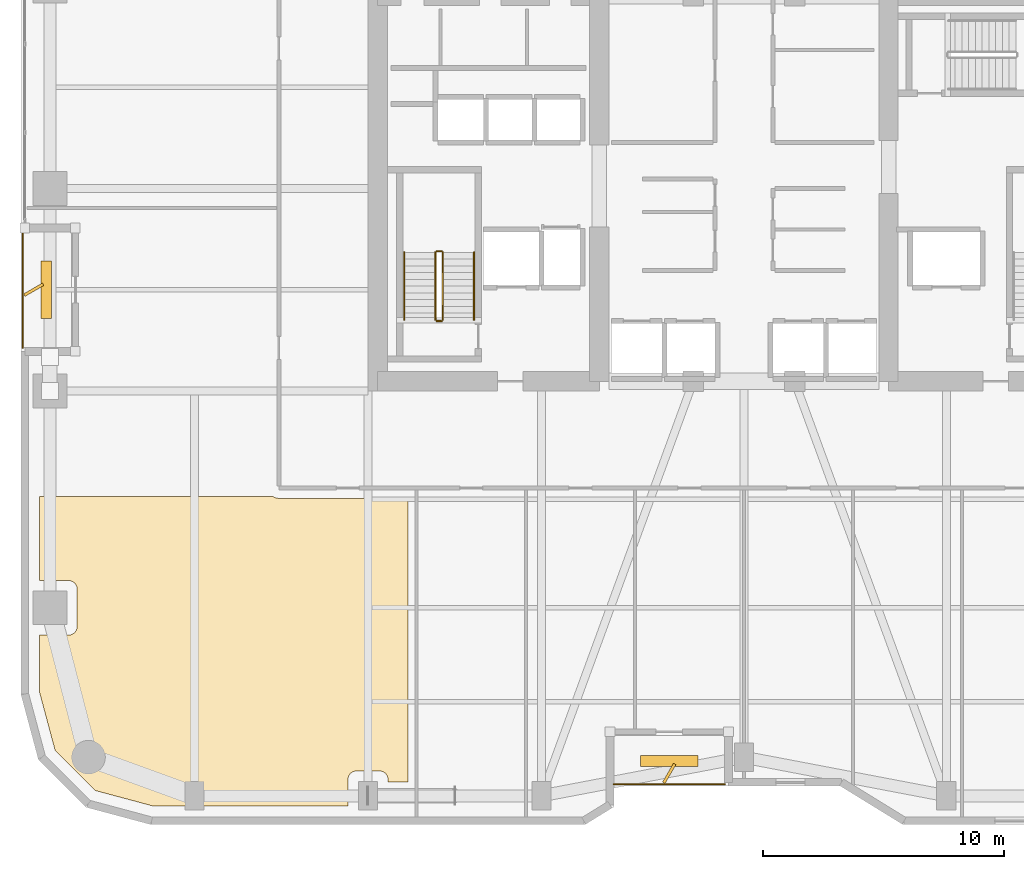
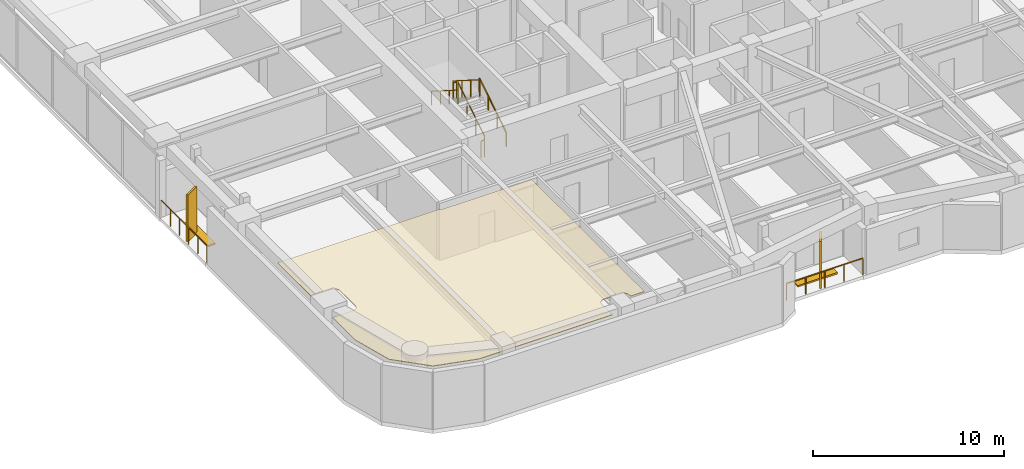
# One storey, part 22 of 24: 8 railings, 4 shading devices, 1 covering.
"""IFC4 building model written with IfcOpenShell, lengths in metres."""

from ifc_helpers import new_model, si_unit, direction, frame, origin, origin_2d, place, context, subcontext, project, spatial, polyline, rectangle, outline, extrude, material, layer, layer_set, type_object, element, save


model = new_model("IFC4")

# Units and contexts
model_context = context("Model", 3, precision=1e-05, world=origin(), true_north=direction((0.0, 1.0)))
body_context = subcontext(model_context, "Body", "Model", "MODEL_VIEW")
ifc_project = project(units=[si_unit("LENGTHUNIT", "METRE"), si_unit("AREAUNIT", "SQUARE_METRE"), si_unit("VOLUMEUNIT", "CUBIC_METRE"), si_unit("PLANEANGLEUNIT", "RADIAN"), si_unit("MASSUNIT", "GRAM", prefix="KILO")], contexts=[model_context])

# Site, building, storey
site_placement = place(None, origin())
site = spatial("IfcSite", under=ifc_project, at=site_placement, CompositionType="ELEMENT")
building_placement = place(site_placement, origin())
building = spatial("IfcBuilding", under=site, at=building_placement, Name="Kiyonajd Concourse Tower", CompositionType="ELEMENT")
storey_placement = place(building_placement, frame((0.0, 0.0, 117.0)))
storey = spatial("IfcBuildingStorey", under=building, at=storey_placement, Name="L30", CompositionType="ELEMENT", Elevation=117.0)

# Covering
ifc_material_1 = material(Name="Natural Oak Acoustic Timber Veneer", Category="wood")
ifc_layer = layer(ifc_material_1, 0.0400390625)
ifc_layer_set = layer_set([ifc_layer], Name="Natural Oak Acoustic Timber Veneer")
covering_type = type_object("IfcCoveringType", Name="CV-CLG-ACST", PredefinedType="CEILING", material=ifc_layer_set)
covering_placement = place(storey_placement, frame((0.0, 0.0, 3.4599609375)))
element("IfcCovering", 1, at=covering_placement, inside=storey, type_object=covering_type, Name="L30-41 Room Acoustic Ceiling", PredefinedType="CEILING", context=body_context, shape_type="SweptSolid", body=[
    extrude(outline(polyline([(19.4140625, 12.697998046875), (18.77001953125, 15.10107421875), (18.77001953125, 17.469970703125), (20.013916015625, 17.471923828125), (20.08203125, 17.485107421875), (20.14501953125, 17.510986328125), (20.201904296875, 17.549072265625), (20.2509765625, 17.597900390625), (20.2890625, 17.655029296875), (20.31494140625, 17.718017578125), (20.330078125, 17.820068359375), (20.327880859375, 19.4140625), (20.31494140625, 19.48193359375), (20.2890625, 19.544921875), (20.22705078125, 19.626953125), (20.14501953125, 19.68896484375), (20.048095703125, 19.722900390625), (19.97998046875, 19.72998046875), (18.77001953125, 19.72998046875), (18.77001953125, 23.219970703125), (28.451904296875, 23.219970703125), (28.507080078125, 23.18603515625), (28.570068359375, 23.159912109375), (28.699951171875, 23.139892578125), (34.070068359375, 23.139892578125), (34.070068359375, 11.3701171875), (33.22998046875, 11.3701171875), (33.222900390625, 11.548095703125), (33.202880859375, 11.614013671875), (33.1708984375, 11.674072265625), (33.126953125, 11.72705078125), (33.073974609375, 11.77099609375), (33.013916015625, 11.802978515625), (32.947998046875, 11.822998046875), (32.8798828125, 11.830078125), (31.919921875, 11.830078125), (31.85205078125, 11.822998046875), (31.785888671875, 11.802978515625), (31.697998046875, 11.7509765625), (31.64892578125, 11.701904296875), (31.611083984375, 11.64501953125), (31.576904296875, 11.548095703125), (31.570068359375, 11.47998046875), (31.570068359375, 10.3701171875), (23.5009765625, 10.3701171875), (21.097900390625, 11.013916015625), (19.4140625, 12.697998046875)])), origin(), (0.0, 0.0, 1.0), 0.0400390625),
])

# Railings
ifc_material_2 = material(Name="Thermally Broken Anodised Aluminium", Category="aluminium")
railing_type_1 = type_object("IfcRailingType", Name="RL-GRD-LOG", PredefinedType="GUARDRAIL", material=ifc_material_2)
railing_1_placement = place(storey_placement, frame((42.60009765625, 11.280029296875, 0.0)))
element("IfcRailing", 2, at=railing_1_placement, inside=storey, type_object=railing_type_1, Name="L30 Engawa Loggia Perimeter Guard LOG-S", PredefinedType="GUARDRAIL", context=body_context, shape_type="SweptSolid", body=[
    extrude(rectangle(XDim=0.048095703125, YDim=0.048095703125, at=origin_2d()), frame((0.0, 0.0, 1.076171875), z_axis=(1.0, 0.0, 0.0), x_axis=(0.0, 1.0, 0.0)), (0.0, 0.0, 1.0), 4.599853515625),
    extrude(rectangle(XDim=0.0419921875, YDim=0.0419921875, at=origin_2d()), origin(), (0.0, 0.0, 1.0), 1.052001953125),
    extrude(rectangle(XDim=0.0419921875, YDim=0.0419921875, at=origin_2d()), frame((1.14990234375, 0.0, 0.0)), (0.0, 0.0, 1.0), 1.052001953125),
    extrude(rectangle(XDim=0.0419921875, YDim=0.0419921875, at=origin_2d()), frame((2.2998046875, 0.0, 0.0)), (0.0, 0.0, 1.0), 1.052001953125),
    extrude(rectangle(XDim=0.0419921875, YDim=0.0419921875, at=origin_2d()), frame((3.449951171875, 0.0, 0.0)), (0.0, 0.0, 1.0), 1.052001953125),
    extrude(rectangle(XDim=0.0419921875, YDim=0.0419921875, at=origin_2d()), frame((4.599853515625, 0.0, 0.0)), (0.0, 0.0, 1.0), 1.052001953125),
])
railing_2_placement = place(storey_placement, frame((18.080078125, 34.199951171875, 0.0)))
element("IfcRailing", 3, at=railing_2_placement, inside=storey, type_object=railing_type_1, Name="L30 Engawa Loggia Perimeter Guard LOG-W", PredefinedType="GUARDRAIL", context=body_context, shape_type="SweptSolid", body=[
    extrude(rectangle(XDim=0.048095703125, YDim=0.048095703125, at=origin_2d()), frame((0.0, 0.0, 1.076171875), z_axis=(0.0, -1.0, 0.0), x_axis=(1.0, 0.0, 0.0)), (0.0, 0.0, 1.0), 4.800048828125),
    extrude(rectangle(XDim=0.0419921875, YDim=0.0419921875, at=origin_2d()), origin(), (0.0, 0.0, 1.0), 1.052001953125),
    extrude(rectangle(XDim=0.0419921875, YDim=0.0419921875, at=origin_2d()), frame((0.0, -0.9599609375, 0.0)), (0.0, 0.0, 1.0), 1.052001953125),
    extrude(rectangle(XDim=0.0419921875, YDim=0.0419921875, at=origin_2d()), frame((0.0, -1.919921875, 0.0)), (0.0, 0.0, 1.0), 1.052001953125),
    extrude(rectangle(XDim=0.0419921875, YDim=0.0419921875, at=origin_2d()), frame((0.0, -2.880126953125, 0.0)), (0.0, 0.0, 1.0), 1.052001953125),
    extrude(rectangle(XDim=0.0419921875, YDim=0.0419921875, at=origin_2d()), frame((0.0, -3.840087890625, 0.0)), (0.0, 0.0, 1.0), 1.052001953125),
    extrude(rectangle(XDim=0.0419921875, YDim=0.0419921875, at=origin_2d()), frame((0.0, -4.800048828125, 0.0)), (0.0, 0.0, 1.0), 1.052001953125),
])
ifc_material_3 = material(Name="Steel ASTM A500 Grade C", Category="steel")
railing_type_2 = type_object("IfcRailingType", Name="RL-GRD-STR", PredefinedType="GUARDRAIL", material=ifc_material_3)
railing_3_placement = place(storey_placement, frame((35.5, 30.550048828125, 0.17724609375)))
element("IfcRailing", 4, at=railing_3_placement, inside=storey, type_object=railing_type_2, Name="L30 ST1 stair guard 1", PredefinedType="GUARDRAIL", context=body_context, shape_type="SweptSolid", body=[
    extrude(rectangle(XDim=0.048095703125, YDim=0.048095703125, at=origin_2d()), frame((0.0, 0.0, 1.076171875), z_axis=(0.0, 0.844908973607, 0.534910110503), x_axis=(-1.0, 0.0, 0.0)), (0.0, 0.0, 1.0), 3.31396484375),
    extrude(rectangle(XDim=0.0419921875, YDim=0.0419921875, at=origin_2d()), origin(), (0.0, 0.0, 1.0), 1.052001953125),
    extrude(rectangle(XDim=0.0419921875, YDim=0.0419921875, at=origin_2d()), frame((0.0, 0.933349609375, 0.5908203125)), (0.0, 0.0, 1.0), 1.052001953125),
    extrude(rectangle(XDim=0.0419921875, YDim=0.0419921875, at=origin_2d()), frame((0.0, 1.86669921875, 1.181884765625)), (0.0, 0.0, 1.0), 1.052001953125),
    extrude(rectangle(XDim=0.0419921875, YDim=0.0419921875, at=origin_2d()), frame((0.0, 2.800048828125, 1.772705078125)), (0.0, 0.0, 1.0), 1.052001953125),
])
railing_4_placement = place(storey_placement, frame((35.449951171875, 33.39990234375, 1.949951171875)))
element("IfcRailing", 5, at=railing_4_placement, inside=storey, type_object=railing_type_2, Name="L30 ST1 stair guard 2", PredefinedType="GUARDRAIL", context=body_context, shape_type="SweptSolid", body=[
    extrude(rectangle(XDim=0.048095703125, YDim=0.048095703125, at=origin_2d()), frame((0.0, 0.0, 1.076171875), z_axis=(-1.0, 0.0, 0.0), x_axis=(0.0, -1.0, 0.0)), (0.0, 0.0, 1.0), 0.199951171875),
    extrude(rectangle(XDim=0.0419921875, YDim=0.0419921875, at=origin_2d()), origin(), (0.0, 0.0, 1.0), 1.052001953125),
    extrude(rectangle(XDim=0.0419921875, YDim=0.0419921875, at=origin_2d()), frame((-0.199951171875, 0.0, 0.0)), (0.0, 0.0, 1.0), 1.052001953125),
])
railing_5_placement = place(storey_placement, frame((35.199951171875, 33.35009765625, 2.127197265625)))
element("IfcRailing", 6, at=railing_5_placement, inside=storey, type_object=railing_type_2, Name="L30 ST1 stair guard 3", PredefinedType="GUARDRAIL", context=body_context, shape_type="SweptSolid", body=[
    extrude(rectangle(XDim=0.048095703125, YDim=0.048095703125, at=origin_2d()), frame((0.0, 0.0, 1.076171875), z_axis=(0.0, -0.844908973607, 0.534910110503), x_axis=(1.0, 0.0, 0.0)), (0.0, 0.0, 1.0), 3.31396484375),
    extrude(rectangle(XDim=0.0419921875, YDim=0.0419921875, at=origin_2d()), origin(), (0.0, 0.0, 1.0), 1.052001953125),
    extrude(rectangle(XDim=0.0419921875, YDim=0.0419921875, at=origin_2d()), frame((0.0, -0.933349609375, 0.5908203125)), (0.0, 0.0, 1.0), 1.052001953125),
    extrude(rectangle(XDim=0.0419921875, YDim=0.0419921875, at=origin_2d()), frame((0.0, -1.86669921875, 1.181884765625)), (0.0, 0.0, 1.0), 1.052001953125),
    extrude(rectangle(XDim=0.0419921875, YDim=0.0419921875, at=origin_2d()), frame((0.0, -2.800048828125, 1.772705078125)), (0.0, 0.0, 1.0), 1.052001953125),
])
railing_6_placement = place(storey_placement, frame((35.449951171875, 30.5, 0.0)))
element("IfcRailing", 7, at=railing_6_placement, inside=storey, type_object=railing_type_2, Name="L30 ST1 stair guard 4", PredefinedType="GUARDRAIL", context=body_context, shape_type="SweptSolid", body=[
    extrude(rectangle(XDim=0.048095703125, YDim=0.048095703125, at=origin_2d()), frame((0.0, 0.0, 1.076171875), z_axis=(-1.0, 0.0, 0.0), x_axis=(0.0, -1.0, 0.0)), (0.0, 0.0, 1.0), 0.199951171875),
    extrude(rectangle(XDim=0.0419921875, YDim=0.0419921875, at=origin_2d()), origin(), (0.0, 0.0, 1.0), 1.052001953125),
    extrude(rectangle(XDim=0.0419921875, YDim=0.0419921875, at=origin_2d()), frame((-0.199951171875, 0.0, 0.0)), (0.0, 0.0, 1.0), 1.052001953125),
])
ifc_material_4 = material(Name="Brushed Stainless Steel Cab Assembly", Category="steel")
railing_type_3 = type_object("IfcRailingType", Name="RL-HND-900", PredefinedType="HANDRAIL", material=ifc_material_4)
railing_7_placement = place(storey_placement, frame((36.800048828125, 30.550048828125, 0.17724609375)))
element("IfcRailing", 8, at=railing_7_placement, inside=storey, type_object=railing_type_3, Name="L30 ST1 stair handrail 1", PredefinedType="HANDRAIL", context=body_context, shape_type="SweptSolid", body=[
    extrude(rectangle(XDim=0.048095703125, YDim=0.048095703125, at=origin_2d()), frame((0.0, 0.0, 0.8759765625), z_axis=(0.0, 0.844908973607, 0.534910110503), x_axis=(-1.0, 0.0, 0.0)), (0.0, 0.0, 1.0), 3.31396484375),
    extrude(rectangle(XDim=0.0419921875, YDim=0.0419921875, at=origin_2d()), origin(), (0.0, 0.0, 1.0), 0.851806640625),
    extrude(rectangle(XDim=0.0419921875, YDim=0.0419921875, at=origin_2d()), frame((0.0, 0.933349609375, 0.5908203125)), (0.0, 0.0, 1.0), 0.851806640625),
    extrude(rectangle(XDim=0.0419921875, YDim=0.0419921875, at=origin_2d()), frame((0.0, 1.86669921875, 1.181884765625)), (0.0, 0.0, 1.0), 0.851806640625),
    extrude(rectangle(XDim=0.0419921875, YDim=0.0419921875, at=origin_2d()), frame((0.0, 2.800048828125, 1.772705078125)), (0.0, 0.0, 1.0), 0.851806640625),
])
railing_8_placement = place(storey_placement, frame((33.89990234375, 33.35009765625, 2.127197265625)))
element("IfcRailing", 9, at=railing_8_placement, inside=storey, type_object=railing_type_3, Name="L30 ST1 stair handrail 2", PredefinedType="HANDRAIL", context=body_context, shape_type="SweptSolid", body=[
    extrude(rectangle(XDim=0.048095703125, YDim=0.048095703125, at=origin_2d()), frame((0.0, 0.0, 0.8759765625), z_axis=(0.0, -0.844908973607, 0.534910110503), x_axis=(1.0, 0.0, 0.0)), (0.0, 0.0, 1.0), 3.31396484375),
    extrude(rectangle(XDim=0.0419921875, YDim=0.0419921875, at=origin_2d()), origin(), (0.0, 0.0, 1.0), 0.851806640625),
    extrude(rectangle(XDim=0.0419921875, YDim=0.0419921875, at=origin_2d()), frame((0.0, -0.933349609375, 0.5908203125)), (0.0, 0.0, 1.0), 0.851806640625),
    extrude(rectangle(XDim=0.0419921875, YDim=0.0419921875, at=origin_2d()), frame((0.0, -1.86669921875, 1.181884765625)), (0.0, 0.0, 1.0), 0.851806640625),
    extrude(rectangle(XDim=0.0419921875, YDim=0.0419921875, at=origin_2d()), frame((0.0, -2.800048828125, 1.772705078125)), (0.0, 0.0, 1.0), 0.851806640625),
])

# Shading devices
ifc_material_5 = material(Name="Precast concrete C50/60", Category="concrete")
shading_device_type_1 = type_object("IfcShadingDeviceType", Name="SH-FIN-900", PredefinedType="USERDEFINED", material=ifc_material_5)
for number, where, z_axis, x_axis, name in (
    (10, (44.89990234375, 11.72998046875, 0.0), (0.0, 0.0, 1.0), (0.5, 0.866025403784, 0.0), "L30 Angled Koshi Solar Fin LOG-S"),
    (11, (18.530029296875, 31.800048828125, 0.0), (0.0, 0.0, 1.0), (0.866025403784, 0.5, 0.0), "L30 Angled Koshi Solar Fin LOG-W"),
):
    element("IfcShadingDevice", number, at=place(storey_placement, frame(where, z_axis=z_axis, x_axis=x_axis)), inside=storey, type_object=shading_device_type_1, Name=name, ObjectType="FIN", PredefinedType="USERDEFINED", context=body_context, shape_type="SweptSolid", body=[
        extrude(rectangle(XDim=0.89990234375, YDim=0.1201171875, at=origin_2d()), origin(), (0.0, 0.0, 1.0), 3.0),
    ])
shading_device_type_2 = type_object("IfcShadingDeviceType", Name="SH-LVR-600", PredefinedType="JALOUSIE", material=ifc_material_2)
for number, where, z_axis, x_axis, name in (
    (12, (44.89990234375, 12.25, 0.0), (0.0, 0.0, 1.0), (1.0, 0.0, 0.0), "L30 Loggia Threshold Louver LOG-S"),
    (13, (19.050048828125, 31.800048828125, 0.0), (0.0, 0.0, 1.0), (0.0, 1.0, 0.0), "L30 Loggia Threshold Louver LOG-W"),
):
    element("IfcShadingDevice", number, at=place(storey_placement, frame(where, z_axis=z_axis, x_axis=x_axis)), inside=storey, type_object=shading_device_type_2, Name=name, PredefinedType="JALOUSIE", context=body_context, shape_type="SweptSolid", body=[
        extrude(rectangle(XDim=2.39990234375, YDim=0.449951171875, at=origin_2d()), origin(), (0.0, 0.0, 1.0), 0.10009765625),
    ])

save(model, "model.ifc")
